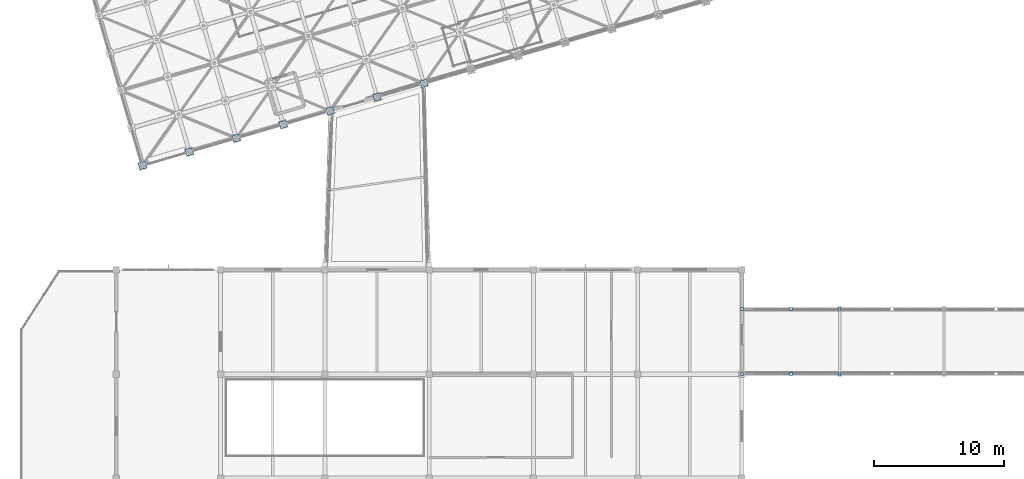
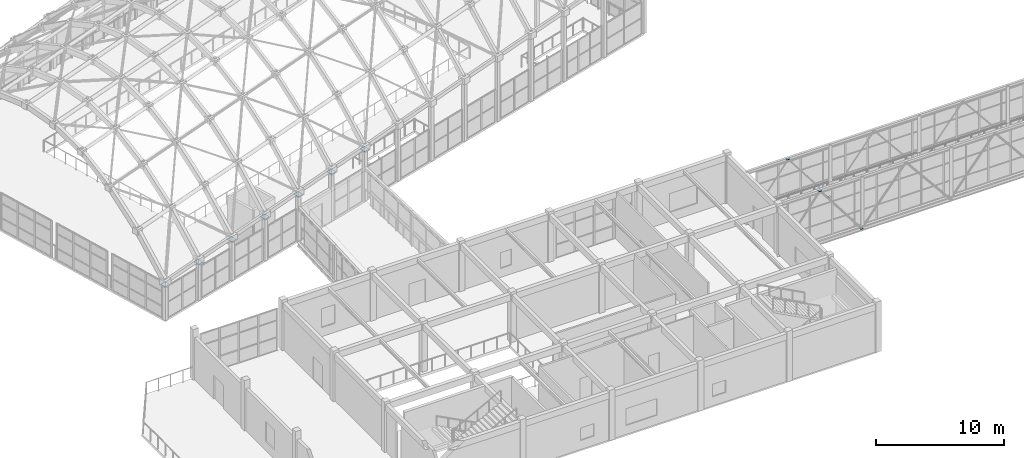
# One storey, part 214 of 248: 13 plates.
"""IFC4 building model written with IfcOpenShell, lengths in metres."""

from ifc_helpers import new_model, si_unit, direction, frame, origin, origin_2d, place, context, subcontext, project, spatial, rectangle, extrude, material, layer, layer_set, type_object, element, save


model = new_model("IFC4")

# Units and contexts
model_context = context("Model", 3, precision=1e-05, world=origin(), true_north=direction((0.0, 1.0)))
body_context = subcontext(model_context, "Body", "Model", "MODEL_VIEW")
ifc_project = project(units=[si_unit("LENGTHUNIT", "METRE"), si_unit("AREAUNIT", "SQUARE_METRE"), si_unit("VOLUMEUNIT", "CUBIC_METRE"), si_unit("PLANEANGLEUNIT", "RADIAN"), si_unit("MASSUNIT", "GRAM", prefix="KILO")], contexts=[model_context])

# Site, building, storey
site_placement = place(None, origin())
site = spatial("IfcSite", under=ifc_project, at=site_placement, CompositionType="ELEMENT")
building_placement = place(site_placement, origin())
building = spatial("IfcBuilding", under=site, at=building_placement, Name="Canggui Botanical Conservatory", CompositionType="ELEMENT")
storey_placement = place(building_placement, frame((0.0, 0.0, 5.39990234375)))
storey = spatial("IfcBuildingStorey", under=building, at=storey_placement, Name="L02", CompositionType="ELEMENT", Elevation=5.39990234375)

# Plates
ifc_material_1 = material(Name="Steel Q355B", Category="steel")
ifc_layer_1 = layer(ifc_material_1, 0.02001953125, Name="Steel Q355B", Category="steel")
ifc_layer_set_1 = layer_set([ifc_layer_1], Name="Steel Q355B")
plate_type_1 = type_object("IfcPlateType", Name="PLT-CAP-20", PredefinedType="USERDEFINED", material=ifc_layer_set_1)
for number, where, z_axis, x_axis, name in (
    (1, (66.0, 26.0, -0.35986328125), (0.0, 0.0, 1.0), (1.0, 0.0, 0.0), "CP-SB-01-WBM-0-1A-0"),
    (2, (69.75, 26.0, 4.5400390625), (0.0, 0.0, 1.0), (1.0, 0.0, 0.0), "CP-SB-01-WBM-0-1A-1"),
    (3, (73.5, 26.0, -0.35986328125), (0.0, 0.0, 1.0), (1.0, 0.0, 0.0), "CP-SB-01-WBM-0-1B-1"),
    (4, (66.0, 31.0, -0.35986328125), (0.0, 0.0, 1.0), (1.0, 0.0, 0.0), "CP-SB-01-WBM-1-1A-0"),
    (5, (69.75, 31.0, 4.5400390625), (0.0, 0.0, 1.0), (1.0, 0.0, 0.0), "CP-SB-01-WBM-1-1A-1"),
    (6, (73.5, 31.0, -0.35986328125), (0.0, 0.0, 1.0), (1.0, 0.0, 0.0), "CP-SB-01-WBM-1-1B-1"),
):
    element("IfcPlate", number, at=place(storey_placement, frame(where, z_axis=z_axis, x_axis=x_axis)), inside=storey, type_object=plate_type_1, Name=name, ObjectType="END CAP PLATE", PredefinedType="USERDEFINED", context=body_context, shape_type="SweptSolid", body=[
        extrude(rectangle(XDim=0.219970703125, YDim=0.219970703125, at=origin_2d()), origin(), (0.0, 0.0, 1.0), 0.02001953125),
    ])
ifc_material_2 = material(Name="Steel Q355C", Category="steel")
ifc_layer_2 = layer(ifc_material_2, 0.02392578125, Name="Steel Q355C", Category="steel")
ifc_layer_set_2 = layer_set([ifc_layer_2], Name="Steel Q355C")
plate_type_2 = type_object("IfcPlateType", Name="PLT-GUSSET-24", PredefinedType="USERDEFINED", material=ifc_layer_set_2)
for number, where, z_axis, x_axis, name in (
    (7, (20.0, 42.0, 3.328125), (0.0, 0.0, 1.0), (0.960000000041, 0.279999999861, 0.0), "Gridshell Arch Base Gusset Plate GS-N001"),
    (8, (23.60009765625, 43.050048828125, 3.578125), (0.0, 0.0, 1.0), (0.960000000041, 0.279999999861, 0.0), "Gridshell Arch Base Gusset Plate GS-N012"),
    (9, (27.199951171875, 44.10009765625, 3.828125), (0.0, 0.0, 1.0), (0.960000000041, 0.279999999861, 0.0), "Gridshell Arch Base Gusset Plate GS-N023"),
    (10, (30.800048828125, 45.14990234375, 4.078125), (0.0, 0.0, 1.0), (0.960000000041, 0.279999999861, 0.0), "Gridshell Arch Base Gusset Plate GS-N034"),
    (11, (34.39990234375, 46.199951171875, 4.328125), (0.0, 0.0, 1.0), (0.960000000041, 0.279999999861, 0.0), "Gridshell Arch Base Gusset Plate GS-N045"),
    (12, (38.0, 47.25, 4.578125), (0.0, 0.0, 1.0), (0.960000000041, 0.279999999861, 0.0), "Gridshell Arch Base Gusset Plate GS-N056"),
    (13, (41.60009765625, 48.300048828125, 4.828125), (0.0, 0.0, 1.0), (0.960000000041, 0.279999999861, 0.0), "Gridshell Arch Base Gusset Plate GS-N067"),
):
    element("IfcPlate", number, at=place(storey_placement, frame(where, z_axis=z_axis, x_axis=x_axis)), inside=storey, type_object=plate_type_2, Name=name, ObjectType="GUSSET PLATE", PredefinedType="USERDEFINED", context=body_context, shape_type="SweptSolid", body=[
        extrude(rectangle(XDim=0.52001953125, YDim=0.52001953125, at=origin_2d()), origin(), (0.0, 0.0, 1.0), 0.02392578125),
    ])

save(model, "model.ifc")
